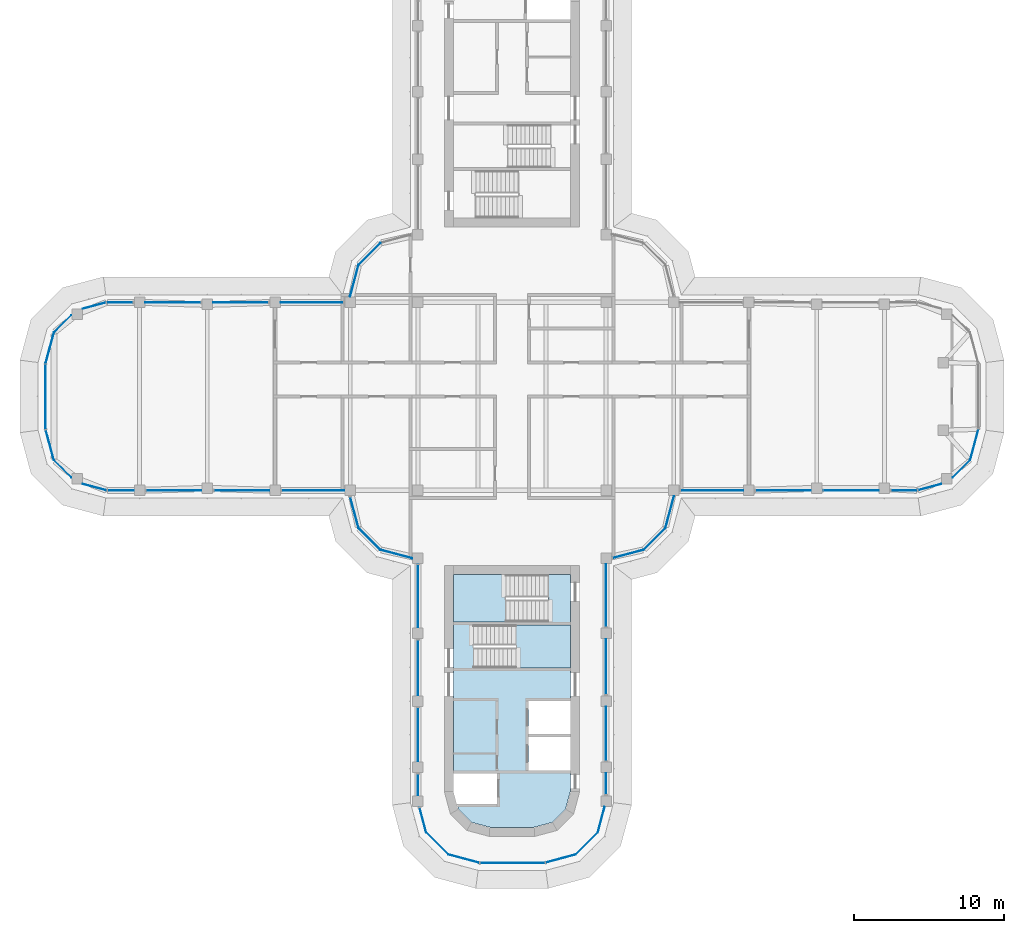
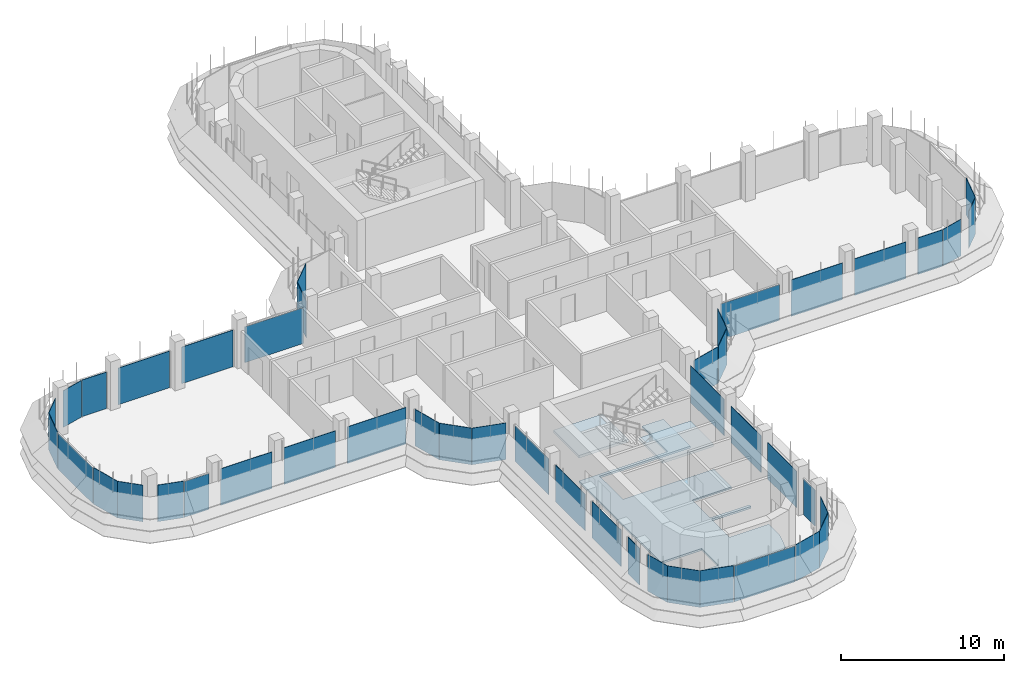
# One storey, part 11 of 18: 45 plates, 3 slabs, 32 elements without a shape of their own.
"""IFC4 building model written with IfcOpenShell, lengths in metres."""

from ifc_helpers import new_model, si_unit, direction, frame, origin, place, context, subcontext, project, spatial, polyline, outline, extrude, source, transform, mapped, material, layer, layer_set, type_object, element, aggregate, save


model = new_model("IFC4")

# Units and contexts
model_context = context("Model", 3, precision=1e-05, world=origin(), true_north=direction((0.0, 1.0)))
body_context = subcontext(model_context, "Body", "Model", "MODEL_VIEW")
ifc_project = project(units=[si_unit("LENGTHUNIT", "METRE"), si_unit("AREAUNIT", "SQUARE_METRE"), si_unit("VOLUMEUNIT", "CUBIC_METRE"), si_unit("PLANEANGLEUNIT", "RADIAN"), si_unit("MASSUNIT", "GRAM", prefix="KILO")], contexts=[model_context])

# Site, building, storey
site_placement = place(None, origin())
site = spatial("IfcSite", under=ifc_project, at=site_placement, CompositionType="ELEMENT")
building_placement = place(site_placement, origin())
building = spatial("IfcBuilding", under=site, at=building_placement, Name="Zarbagh Exchange Tower", CompositionType="ELEMENT")
storey_placement = place(building_placement, frame((0.0, 0.0, 214.39990234375)))
storey = spatial("IfcBuildingStorey", under=building, at=storey_placement, Name="L52", CompositionType="ELEMENT", Elevation=214.39990234375)

# Slab
ifc_material_1 = material(Name="Concrete C40/50", Category="concrete")
ifc_layer_1 = layer(ifc_material_1, 0.14990234375)
ifc_layer_set_1 = layer_set([ifc_layer_1], Name="Core floor slab 150 C40/50")
slab_type_1 = type_object("IfcSlabType", Name="Core floor slab 150 C40/50", PredefinedType="FLOOR", material=ifc_layer_set_1)
slab_1_placement = place(storey_placement, frame((0.0, 0.0, -0.14990234375)))
element("IfcSlab", 1, at=slab_1_placement, inside=storey, type_object=slab_type_1, Name="S17 core S", PredefinedType="FLOOR", context=body_context, shape_type="SweptSolid", body=[
    extrude(outline(polyline([(-2.689453125, -28.31005859375), (-3.56005859375, -27.439453125), (-3.651123046875, -27.10009765625), (-1.0, -27.10009765625), (-1.0, -25.050048828125), (-3.89990234375, -25.050048828125), (-3.89990234375, -15.0), (2.39990234375, -15.0), (2.39990234375, -11.85009765625), (3.89990234375, -11.85009765625), (3.89990234375, -15.199951171875), (-2.550048828125, -15.199951171875), (-2.550048828125, -18.050048828125), (3.89990234375, -18.050048828125), (3.89990234375, -20.25), (1.10009765625, -20.25), (1.10009765625, -22.449951171875), (3.89990234375, -22.449951171875), (3.89990234375, -22.64990234375), (1.10009765625, -22.64990234375), (1.10009765625, -24.85009765625), (3.89990234375, -24.85009765625), (3.89990234375, -26.1708984375), (3.56005859375, -27.439453125), (2.689453125, -28.31005859375), (1.4208984375, -28.64990234375), (-1.4208984375, -28.64990234375), (-2.689453125, -28.31005859375)])), origin(), (0.0, 0.0, 1.0), 0.14990234375),
])

# Stair, slab
stair_type = type_object("IfcStairType", Name="Exit stair two-flight half-turn", PredefinedType="HALF_TURN_STAIR", material=ifc_material_1)
stair_1_placement = place(storey_placement, origin())
stair_1 = element("IfcStair", 2, at=stair_1_placement, inside=storey, type_object=stair_type, Name="exit stair ST3", PredefinedType="HALF_TURN_STAIR")
ifc_layer_2 = layer(ifc_material_1, 0.199951171875)
ifc_layer_set_2 = layer_set([ifc_layer_2], Name="Stair landing 200 mm")
slab_type_2 = type_object("IfcSlabType", Name="Stair landing 200 mm", PredefinedType="LANDING", material=ifc_layer_set_2)
slab_2_placement = place(storey_placement, frame((0.0, 0.0, 1.7001953125)))
slab_2 = element("IfcSlab", 3, at=slab_2_placement, type_object=slab_type_2, Name="ST3 landing 1", PredefinedType="LANDING", context=body_context, shape_type="SweptSolid", body=[
    extrude(outline(polyline([(0.25, -18.050048828125), (3.89990234375, -18.050048828125), (3.89990234375, -15.199951171875), (0.25, -15.199951171875), (0.25, -18.050048828125)])), origin(), (0.0, 0.0, 1.0), 0.199951171875),
])
aggregate(stair_1, [slab_2])

stair_2_placement = place(storey_placement, origin())
stair_2 = element("IfcStair", 4, at=stair_2_placement, inside=storey, type_object=stair_type, Name="exit stair ST4", PredefinedType="HALF_TURN_STAIR")
slab_3_placement = place(storey_placement, frame((0.0, 0.0, 1.7001953125)))
slab_3 = element("IfcSlab", 5, at=slab_3_placement, type_object=slab_type_2, Name="ST4 landing 1", PredefinedType="LANDING", context=body_context, shape_type="SweptSolid", body=[
    extrude(outline(polyline([(-0.39990234375, -11.85009765625), (-3.89990234375, -11.85009765625), (-3.89990234375, -15.0), (-0.39990234375, -15.0), (-0.39990234375, -11.85009765625)])), origin(), (0.0, 0.0, 1.0), 0.199951171875),
])
aggregate(stair_2, [slab_3])

# Curtain wall, plate
ifc_material_2 = material(Name="Anodised aluminium frame and glazing", Category="aluminium")
curtain_wall_type = type_object("IfcCurtainWallType", Name="CWB Ribbon glazing, upper zones", PredefinedType="NOTDEFINED", material=ifc_material_2)
curtain_wall_1_placement = place(storey_placement, origin())
curtain_wall_1 = element("IfcCurtainWall", 6, at=curtain_wall_1_placement, inside=storey, type_object=curtain_wall_type, Name="CWB50 curtain wall", PredefinedType="NOTDEFINED")
ifc_material_3 = material(Name="Low-e double glazed unit, 6+12+6 mm")
ifc_layer_3 = layer(ifc_material_3, 0.031982421875)
ifc_layer_set_3 = layer_set([ifc_layer_3], Name="PAB Glazing panel, Low-e double glazed unit, 6+12+6 mm")
plate_type = type_object("IfcPlateType", Name="PAB Glazing panel, Low-e double glazed unit, 6+12+6 mm", PredefinedType="CURTAIN_PANEL", material=ifc_layer_set_3)
shared_shape_1 = source(origin(), body_context, "Body", "SweptSolid", [
    extrude(outline(polyline([(0.0, -0.01611328125), (2.061279296875, -0.01611328125), (2.061279296875, 0.01611328125), (0.0, 0.01611328125), (0.0, -0.01611328125)])), origin(), (0.0, 0.0, 1.0), 2.75),
])
placement = place(storey_placement, origin())
plate_1 = element("IfcPlate", 7, at=placement, type_object=plate_type, Name="CWB50 glazing panel 1.1", PredefinedType="CURTAIN_PANEL", context=body_context, shape_type="MappedRepresentation", body=[
    mapped(shared_shape_1, transform((4.2412109375, -30.44873046875, 0.0), x_axis=(0.707106781187, 0.707106781187, 0.0), y_axis=(-0.707106781187, 0.707106781187, 0.0), z_axis=(0.0, 0.0, 1.0))),
])
aggregate(curtain_wall_1, [plate_1])

curtain_wall_2_placement = place(storey_placement, origin())
curtain_wall_2 = element("IfcCurtainWall", 8, at=curtain_wall_2_placement, inside=storey, type_object=curtain_wall_type, Name="CWB06 curtain wall", PredefinedType="NOTDEFINED")
plate_2 = element("IfcPlate", 9, at=placement, type_object=plate_type, Name="CWB06 glazing panel 1.1", PredefinedType="CURTAIN_PANEL", context=body_context, shape_type="MappedRepresentation", body=[
    mapped(shared_shape_1, transform((8.7412109375, -10.19873046875, 0.0), x_axis=(0.707106781187, 0.707106781187, 0.0), y_axis=(-0.707106781187, 0.707106781187, 0.0), z_axis=(0.0, 0.0, 1.0))),
])
aggregate(curtain_wall_2, [plate_2])

curtain_wall_3_placement = place(storey_placement, origin())
curtain_wall_3 = element("IfcCurtainWall", 10, at=curtain_wall_3_placement, inside=storey, type_object=curtain_wall_type, Name="CWB30 curtain wall", PredefinedType="NOTDEFINED")
plate_3 = element("IfcPlate", 11, at=placement, type_object=plate_type, Name="CWB30 glazing panel 1.1", PredefinedType="CURTAIN_PANEL", context=body_context, shape_type="MappedRepresentation", body=[
    mapped(shared_shape_1, transform((-8.7412109375, 10.19873046875, 0.0), x_axis=(-0.707106781187, -0.707106781187, 0.0), y_axis=(0.707106781187, -0.707106781187, 0.0), z_axis=(0.0, 0.0, 1.0))),
])
aggregate(curtain_wall_3, [plate_3])

curtain_wall_4_placement = place(storey_placement, origin())
curtain_wall_4 = element("IfcCurtainWall", 12, at=curtain_wall_4_placement, inside=storey, type_object=curtain_wall_type, Name="CWB42 curtain wall", PredefinedType="NOTDEFINED")
plate_4 = element("IfcPlate", 13, at=placement, type_object=plate_type, Name="CWB42 glazing panel 1.1", PredefinedType="CURTAIN_PANEL", context=body_context, shape_type="MappedRepresentation", body=[
    mapped(shared_shape_1, transform((-10.19873046875, -8.7412109375, 0.0), x_axis=(0.707106781187, -0.707106781187, 0.0), y_axis=(0.707106781187, 0.707106781187, 0.0), z_axis=(0.0, 0.0, 1.0))),
])
aggregate(curtain_wall_4, [plate_4])

curtain_wall_5_placement = place(storey_placement, origin())
curtain_wall_5 = element("IfcCurtainWall", 14, at=curtain_wall_5_placement, inside=storey, type_object=curtain_wall_type, Name="CWB55 curtain wall", PredefinedType="NOTDEFINED")
plate_5 = element("IfcPlate", 15, at=placement, type_object=plate_type, Name="CWB55 glazing panel 1.1", PredefinedType="CURTAIN_PANEL", context=body_context, shape_type="MappedRepresentation", body=[
    mapped(shared_shape_1, transform((-5.69873046875, -28.9912109375, 0.0), x_axis=(0.707106781187, -0.707106781187, 0.0), y_axis=(0.707106781187, 0.707106781187, 0.0), z_axis=(0.0, 0.0, 1.0))),
])
aggregate(curtain_wall_5, [plate_5])

curtain_wall_6_placement = place(storey_placement, origin())
curtain_wall_6 = element("IfcCurtainWall", 16, at=curtain_wall_6_placement, inside=storey, type_object=curtain_wall_type, Name="CWB11 curtain wall", PredefinedType="NOTDEFINED")
shared_shape_2 = source(origin(), body_context, "Body", "SweptSolid", [
    extrude(outline(polyline([(0.0, -0.01611328125), (2.129638671875, -0.01611328125), (2.129638671875, 0.01611328125), (0.0, 0.01611328125), (0.0, -0.01611328125)])), origin(), (0.0, 0.0, 1.0), 2.75),
])
plate_6 = element("IfcPlate", 17, at=placement, type_object=plate_type, Name="CWB11 glazing panel 1.1", PredefinedType="CURTAIN_PANEL", context=body_context, shape_type="MappedRepresentation", body=[
    mapped(shared_shape_2, transform((30.44873046875, -4.2412109375, 0.0), x_axis=(0.258824779902, 0.965924289636, 0.0), y_axis=(-0.965924289636, 0.258824779902, 0.0), z_axis=(0.0, 0.0, 1.0))),
])
aggregate(curtain_wall_6, [plate_6])

curtain_wall_7_placement = place(storey_placement, origin())
curtain_wall_7 = element("IfcCurtainWall", 18, at=curtain_wall_7_placement, inside=storey, type_object=curtain_wall_type, Name="CWB61 curtain wall", PredefinedType="NOTDEFINED")
plate_7 = element("IfcPlate", 19, at=placement, type_object=plate_type, Name="CWB61 glazing panel 1.1", PredefinedType="CURTAIN_PANEL", context=body_context, shape_type="MappedRepresentation", body=[
    mapped(shared_shape_2, transform((-30.44873046875, 4.2412109375, 0.0), x_axis=(-0.258824779902, -0.965924289636, 0.0), y_axis=(0.965924289636, -0.258824779902, 0.0), z_axis=(0.0, 0.0, 1.0))),
])
aggregate(curtain_wall_7, [plate_7])

curtain_wall_8_placement = place(storey_placement, origin())
curtain_wall_8 = element("IfcCurtainWall", 20, at=curtain_wall_8_placement, inside=storey, type_object=curtain_wall_type, Name="CWB56 curtain wall", PredefinedType="NOTDEFINED")
plate_8 = element("IfcPlate", 21, at=placement, type_object=plate_type, Name="CWB56 glazing panel 1.1", PredefinedType="CURTAIN_PANEL", context=body_context, shape_type="MappedRepresentation", body=[
    mapped(shared_shape_2, transform((-4.2412109375, -30.44873046875, 0.0), x_axis=(0.965924289636, -0.258824779902, 0.0), y_axis=(0.258824779902, 0.965924289636, 0.0), z_axis=(0.0, 0.0, 1.0))),
])
aggregate(curtain_wall_8, [plate_8])

curtain_wall_9_placement = place(storey_placement, origin())
curtain_wall_9 = element("IfcCurtainWall", 22, at=curtain_wall_9_placement, inside=storey, type_object=curtain_wall_type, Name="CWB52 curtain wall", PredefinedType="NOTDEFINED")
shared_shape_3 = source(origin(), body_context, "Body", "SweptSolid", [
    extrude(outline(polyline([(0.0, -0.01611328125), (3.56005859375, -0.01611328125), (3.56005859375, 0.01611328125), (0.0, 0.01611328125), (0.0, -0.01611328125)])), origin(), (0.0, 0.0, 1.0), 2.75),
])
plate_9 = element("IfcPlate", 23, at=placement, type_object=plate_type, Name="CWB52 glazing panel 2.1", PredefinedType="CURTAIN_PANEL", context=body_context, shape_type="MappedRepresentation", body=[
    mapped(shared_shape_3, transform((6.25, -24.199951171875, 0.0), x_axis=(0.0, 1.0, 0.0), y_axis=(-1.0, 0.0, 0.0), z_axis=(0.0, 0.0, 1.0))),
])

curtain_wall_10_placement = place(storey_placement, origin())
curtain_wall_10 = element("IfcCurtainWall", 24, at=curtain_wall_10_placement, inside=storey, type_object=curtain_wall_type, Name="CWB53 curtain wall", PredefinedType="NOTDEFINED")
plate_10 = element("IfcPlate", 25, at=placement, type_object=plate_type, Name="CWB53 glazing panel 3.1", PredefinedType="CURTAIN_PANEL", context=body_context, shape_type="MappedRepresentation", body=[
    mapped(shared_shape_3, transform((-6.25, -20.699951171875, 0.0), x_axis=(0.0, -1.0, 0.0), y_axis=(1.0, 0.0, 0.0), z_axis=(0.0, 0.0, 1.0))),
])

curtain_wall_11_placement = place(storey_placement, origin())
curtain_wall_11 = element("IfcCurtainWall", 26, at=curtain_wall_11_placement, inside=storey, type_object=curtain_wall_type, Name="CWB66 curtain wall", PredefinedType="NOTDEFINED")
shared_shape_4 = source(origin(), body_context, "Body", "SweptSolid", [
    extrude(outline(polyline([(0.0, -0.01611328125), (4.308349609375, -0.01611328125), (4.308349609375, 0.01611328125), (0.0, 0.01611328125), (0.0, -0.01611328125)])), origin(), (0.0, 0.0, 1.0), 2.68994140625),
])
plate_11 = element("IfcPlate", 27, at=placement, type_object=plate_type, Name="CWB66 glazing panel 1.1", PredefinedType="CURTAIN_PANEL", context=body_context, shape_type="MappedRepresentation", body=[
    mapped(shared_shape_4, transform((-31.0, 2.124267578125, 0.0), x_axis=(0.0, -1.0, 0.0), y_axis=(1.0, 0.0, 0.0), z_axis=(0.0, 0.0, 1.0))),
])
aggregate(curtain_wall_11, [plate_11])

curtain_wall_12_placement = place(storey_placement, origin())
curtain_wall_12 = element("IfcCurtainWall", 28, at=curtain_wall_12_placement, inside=storey, type_object=curtain_wall_type, Name="CWB57 curtain wall", PredefinedType="NOTDEFINED")
plate_12 = element("IfcPlate", 29, at=placement, type_object=plate_type, Name="CWB57 glazing panel 1.1", PredefinedType="CURTAIN_PANEL", context=body_context, shape_type="MappedRepresentation", body=[
    mapped(shared_shape_4, transform((-2.124267578125, -31.0, 0.0), x_axis=(1.0, 0.0, 0.0), y_axis=(0.0, 1.0, 0.0), z_axis=(0.0, 0.0, 1.0))),
])
aggregate(curtain_wall_12, [plate_12])

curtain_wall_13_placement = place(storey_placement, origin())
curtain_wall_13 = element("IfcCurtainWall", 30, at=curtain_wall_13_placement, inside=storey, type_object=curtain_wall_type, Name="CWB49 curtain wall", PredefinedType="NOTDEFINED")
shared_shape_5 = source(origin(), body_context, "Body", "SweptSolid", [
    extrude(outline(polyline([(0.0, -0.01611328125), (2.069580078125, -0.01611328125), (2.069580078125, 0.01611328125), (0.0, 0.01611328125), (0.0, -0.01611328125)])), origin(), (0.0, 0.0, 1.0), 2.75),
])
plate_13 = element("IfcPlate", 31, at=placement, type_object=plate_type, Name="CWB49 glazing panel 1.1", PredefinedType="CURTAIN_PANEL", context=body_context, shape_type="MappedRepresentation", body=[
    mapped(shared_shape_5, transform((2.2421875, -30.984375, 0.0), x_axis=(0.965924289636, 0.258824779902, 0.0), y_axis=(-0.258824779902, 0.965924289636, 0.0), z_axis=(0.0, 0.0, 1.0))),
])
aggregate(curtain_wall_13, [plate_13])

curtain_wall_14_placement = place(storey_placement, origin())
curtain_wall_14 = element("IfcCurtainWall", 32, at=curtain_wall_14_placement, inside=storey, type_object=curtain_wall_type, Name="CWB62 curtain wall", PredefinedType="NOTDEFINED")
plate_14 = element("IfcPlate", 33, at=placement, type_object=plate_type, Name="CWB62 glazing panel 1.1", PredefinedType="CURTAIN_PANEL", context=body_context, shape_type="MappedRepresentation", body=[
    mapped(shared_shape_5, transform((-30.984375, -2.2421875, 0.0), x_axis=(0.258824779902, -0.965924289636, 0.0), y_axis=(0.965924289636, 0.258824779902, 0.0), z_axis=(0.0, 0.0, 1.0))),
])
aggregate(curtain_wall_14, [plate_14])

curtain_wall_15_placement = place(storey_placement, origin())
curtain_wall_15 = element("IfcCurtainWall", 34, at=curtain_wall_15_placement, inside=storey, type_object=curtain_wall_type, Name="CWB51 curtain wall", PredefinedType="NOTDEFINED")
shared_shape_6 = source(origin(), body_context, "Body", "SweptSolid", [
    extrude(outline(polyline([(0.0, -0.01611328125), (1.76123046875, -0.01611328125), (1.76123046875, 0.01611328125), (0.0, 0.01611328125), (0.0, -0.01611328125)])), origin(), (0.0, 0.0, 1.0), 2.75),
])
plate_15 = element("IfcPlate", 35, at=placement, type_object=plate_type, Name="CWB51 glazing panel 1.1", PredefinedType="CURTAIN_PANEL", context=body_context, shape_type="MappedRepresentation", body=[
    mapped(shared_shape_6, transform((5.69873046875, -28.9912109375, 0.0), x_axis=(0.258824779902, 0.965924289636, 0.0), y_axis=(-0.965924289636, 0.258824779902, 0.0), z_axis=(0.0, 0.0, 1.0))),
])
aggregate(curtain_wall_15, [plate_15])

# Plate
shared_shape_7 = source(origin(), body_context, "Body", "SweptSolid", [
    extrude(outline(polyline([(0.0, -0.01611328125), (1.409912109375, -0.01611328125), (1.409912109375, 0.01611328125), (0.0, 0.01611328125), (0.0, -0.01611328125)])), origin(), (0.0, 0.0, 1.0), 2.68994140625),
])
plate_16 = element("IfcPlate", 36, at=placement, type_object=plate_type, Name="CWB52 glazing panel 1.1", PredefinedType="CURTAIN_PANEL", context=body_context, shape_type="MappedRepresentation", body=[
    mapped(shared_shape_7, transform((6.25, -26.449951171875, 0.0), x_axis=(0.0, 1.0, 0.0), y_axis=(-1.0, 0.0, 0.0), z_axis=(0.0, 0.0, 1.0))),
])

shared_shape_8 = source(origin(), body_context, "Body", "SweptSolid", [
    extrude(outline(polyline([(0.0, -0.01611328125), (3.659912109375, -0.01611328125), (3.659912109375, 0.01611328125), (0.0, 0.01611328125), (0.0, -0.01611328125)])), origin(), (0.0, 0.0, 1.0), 2.75),
])
plate_17 = element("IfcPlate", 37, at=placement, type_object=plate_type, Name="CWB52 glazing panel 3.1", PredefinedType="CURTAIN_PANEL", context=body_context, shape_type="MappedRepresentation", body=[
    mapped(shared_shape_8, transform((6.25, -19.800048828125, 0.0), x_axis=(0.0, 1.0, 0.0), y_axis=(-1.0, 0.0, 0.0), z_axis=(0.0, 0.0, 1.0))),
])

# Curtain wall, plates
curtain_wall_16_placement = place(storey_placement, origin())
curtain_wall_16 = element("IfcCurtainWall", 38, at=curtain_wall_16_placement, inside=storey, type_object=curtain_wall_type, Name="CWB08 curtain wall", PredefinedType="NOTDEFINED")
plate_18 = element("IfcPlate", 39, at=placement, type_object=plate_type, Name="CWB08 glazing panel 2.1", PredefinedType="CURTAIN_PANEL", context=body_context, shape_type="MappedRepresentation", body=[
    mapped(shared_shape_8, transform((16.199951171875, -6.25, 0.0), x_axis=(1.0, 0.0, 0.0), y_axis=(0.0, 1.0, 0.0), z_axis=(0.0, 0.0, 1.0))),
])
plate_19 = element("IfcPlate", 40, at=placement, type_object=plate_type, Name="CWB08 glazing panel 3.1", PredefinedType="CURTAIN_PANEL", context=body_context, shape_type="MappedRepresentation", body=[
    mapped(shared_shape_8, transform((20.699951171875, -6.25, 0.0), x_axis=(1.0, 0.0, 0.0), y_axis=(0.0, 1.0, 0.0), z_axis=(0.0, 0.0, 1.0))),
])

curtain_wall_17_placement = place(storey_placement, origin())
curtain_wall_17 = element("IfcCurtainWall", 41, at=curtain_wall_17_placement, inside=storey, type_object=curtain_wall_type, Name="CWB58 curtain wall", PredefinedType="NOTDEFINED")
plate_20 = element("IfcPlate", 42, at=placement, type_object=plate_type, Name="CWB58 glazing panel 2.1", PredefinedType="CURTAIN_PANEL", context=body_context, shape_type="MappedRepresentation", body=[
    mapped(shared_shape_8, transform((-16.199951171875, 6.25, 0.0), x_axis=(-1.0, 0.0, 0.0), y_axis=(0.0, -1.0, 0.0), z_axis=(0.0, 0.0, 1.0))),
])
plate_21 = element("IfcPlate", 43, at=placement, type_object=plate_type, Name="CWB58 glazing panel 3.1", PredefinedType="CURTAIN_PANEL", context=body_context, shape_type="MappedRepresentation", body=[
    mapped(shared_shape_8, transform((-20.699951171875, 6.25, 0.0), x_axis=(-1.0, 0.0, 0.0), y_axis=(0.0, -1.0, 0.0), z_axis=(0.0, 0.0, 1.0))),
])

curtain_wall_18_placement = place(storey_placement, origin())
curtain_wall_18 = element("IfcCurtainWall", 44, at=curtain_wall_18_placement, inside=storey, type_object=curtain_wall_type, Name="CWB65 curtain wall", PredefinedType="NOTDEFINED")
plate_22 = element("IfcPlate", 45, at=placement, type_object=plate_type, Name="CWB65 glazing panel 2.1", PredefinedType="CURTAIN_PANEL", context=body_context, shape_type="MappedRepresentation", body=[
    mapped(shared_shape_8, transform((-24.300048828125, -6.25, 0.0), x_axis=(1.0, 0.0, 0.0), y_axis=(0.0, 1.0, 0.0), z_axis=(0.0, 0.0, 1.0))),
])
plate_23 = element("IfcPlate", 46, at=placement, type_object=plate_type, Name="CWB65 glazing panel 3.1", PredefinedType="CURTAIN_PANEL", context=body_context, shape_type="MappedRepresentation", body=[
    mapped(shared_shape_8, transform((-19.800048828125, -6.25, 0.0), x_axis=(1.0, 0.0, 0.0), y_axis=(0.0, 1.0, 0.0), z_axis=(0.0, 0.0, 1.0))),
])

# Plate
plate_24 = element("IfcPlate", 47, at=placement, type_object=plate_type, Name="CWB53 glazing panel 2.1", PredefinedType="CURTAIN_PANEL", context=body_context, shape_type="MappedRepresentation", body=[
    mapped(shared_shape_8, transform((-6.25, -16.199951171875, 0.0), x_axis=(0.0, -1.0, 0.0), y_axis=(1.0, 0.0, 0.0), z_axis=(0.0, 0.0, 1.0))),
])

shared_shape_9 = source(origin(), body_context, "Body", "SweptSolid", [
    extrude(outline(polyline([(0.0, -0.01611328125), (4.159912109375, -0.01611328125), (4.159912109375, 0.01611328125), (0.0, 0.01611328125), (0.0, -0.01611328125)])), origin(), (0.0, 0.0, 1.0), 2.75),
])
plate_25 = element("IfcPlate", 48, at=placement, type_object=plate_type, Name="CWB52 glazing panel 4.1", PredefinedType="CURTAIN_PANEL", context=body_context, shape_type="MappedRepresentation", body=[
    mapped(shared_shape_9, transform((6.25, -15.300048828125, 0.0), x_axis=(0.0, 1.0, 0.0), y_axis=(-1.0, 0.0, 0.0), z_axis=(0.0, 0.0, 1.0))),
])

aggregate(curtain_wall_9, [plate_16, plate_9, plate_17, plate_25])

plate_26 = element("IfcPlate", 49, at=placement, type_object=plate_type, Name="CWB65 glazing panel 4.1", PredefinedType="CURTAIN_PANEL", context=body_context, shape_type="MappedRepresentation", body=[
    mapped(shared_shape_9, transform((-15.300048828125, -6.25, 0.0), x_axis=(1.0, 0.0, 0.0), y_axis=(0.0, 1.0, 0.0), z_axis=(0.0, 0.0, 1.0))),
])

# Curtain wall, plate
curtain_wall_19_placement = place(storey_placement, origin())
curtain_wall_19 = element("IfcCurtainWall", 50, at=curtain_wall_19_placement, inside=storey, type_object=curtain_wall_type, Name="CWB05 curtain wall", PredefinedType="NOTDEFINED")
shared_shape_10 = source(origin(), body_context, "Body", "SweptSolid", [
    extrude(outline(polyline([(0.0, -0.01611328125), (2.115234375, -0.01611328125), (2.115234375, 0.01611328125), (0.0, 0.01611328125), (0.0, -0.01611328125)])), origin(), (0.0, 0.0, 1.0), 2.75),
])
plate_27 = element("IfcPlate", 51, at=placement, type_object=plate_type, Name="CWB05 glazing panel 1.1", PredefinedType="CURTAIN_PANEL", context=body_context, shape_type="MappedRepresentation", body=[
    mapped(shared_shape_10, transform((6.697998046875, -10.746337890625, 0.0), x_axis=(0.965924289636, 0.258824779902, 0.0), y_axis=(-0.258824779902, 0.965924289636, 0.0), z_axis=(0.0, 0.0, 1.0))),
])
aggregate(curtain_wall_19, [plate_27])

curtain_wall_20_placement = place(storey_placement, origin())
curtain_wall_20 = element("IfcCurtainWall", 52, at=curtain_wall_20_placement, inside=storey, type_object=curtain_wall_type, Name="CWB41 curtain wall", PredefinedType="NOTDEFINED")
plate_28 = element("IfcPlate", 53, at=placement, type_object=plate_type, Name="CWB41 glazing panel 1.1", PredefinedType="CURTAIN_PANEL", context=body_context, shape_type="MappedRepresentation", body=[
    mapped(shared_shape_10, transform((-10.746337890625, -6.697998046875, 0.0), x_axis=(0.258824779902, -0.965924289636, 0.0), y_axis=(0.965924289636, 0.258824779902, 0.0), z_axis=(0.0, 0.0, 1.0))),
])
aggregate(curtain_wall_20, [plate_28])

curtain_wall_21_placement = place(storey_placement, origin())
curtain_wall_21 = element("IfcCurtainWall", 54, at=curtain_wall_21_placement, inside=storey, type_object=curtain_wall_type, Name="CWB07 curtain wall", PredefinedType="NOTDEFINED")
shared_shape_11 = source(origin(), body_context, "Body", "SweptSolid", [
    extrude(outline(polyline([(0.0, -0.01611328125), (2.17529296875, -0.01611328125), (2.17529296875, 0.01611328125), (0.0, 0.01611328125), (0.0, -0.01611328125)])), origin(), (0.0, 0.0, 1.0), 2.75),
])
plate_29 = element("IfcPlate", 55, at=placement, type_object=plate_type, Name="CWB07 glazing panel 1.1", PredefinedType="CURTAIN_PANEL", context=body_context, shape_type="MappedRepresentation", body=[
    mapped(shared_shape_11, transform((10.19873046875, -8.7412109375, 0.0), x_axis=(0.258824779902, 0.965924289636, 0.0), y_axis=(-0.965924289636, 0.258824779902, 0.0), z_axis=(0.0, 0.0, 1.0))),
])
aggregate(curtain_wall_21, [plate_29])

curtain_wall_22_placement = place(storey_placement, origin())
curtain_wall_22 = element("IfcCurtainWall", 56, at=curtain_wall_22_placement, inside=storey, type_object=curtain_wall_type, Name="CWB31 curtain wall", PredefinedType="NOTDEFINED")
plate_30 = element("IfcPlate", 57, at=placement, type_object=plate_type, Name="CWB31 glazing panel 1.1", PredefinedType="CURTAIN_PANEL", context=body_context, shape_type="MappedRepresentation", body=[
    mapped(shared_shape_11, transform((-10.19873046875, 8.7412109375, 0.0), x_axis=(-0.258824779902, -0.965924289636, 0.0), y_axis=(0.965924289636, -0.258824779902, 0.0), z_axis=(0.0, 0.0, 1.0))),
])
aggregate(curtain_wall_22, [plate_30])

curtain_wall_23_placement = place(storey_placement, origin())
curtain_wall_23 = element("IfcCurtainWall", 58, at=curtain_wall_23_placement, inside=storey, type_object=curtain_wall_type, Name="CWB43 curtain wall", PredefinedType="NOTDEFINED")
plate_31 = element("IfcPlate", 59, at=placement, type_object=plate_type, Name="CWB43 glazing panel 1.1", PredefinedType="CURTAIN_PANEL", context=body_context, shape_type="MappedRepresentation", body=[
    mapped(shared_shape_11, transform((-8.7412109375, -10.19873046875, 0.0), x_axis=(0.965924289636, -0.258824779902, 0.0), y_axis=(0.258824779902, 0.965924289636, 0.0), z_axis=(0.0, 0.0, 1.0))),
])
aggregate(curtain_wall_23, [plate_31])

# Plate
shared_shape_12 = source(origin(), body_context, "Body", "SweptSolid", [
    extrude(outline(polyline([(0.0, -0.01611328125), (4.159912109375, -0.01611328125), (4.159912109375, 0.01611328125), (0.0, 0.01611328125), (0.0, -0.01611328125)])), origin(), (0.0, 0.0, 1.0), 2.68994140625),
])
plate_32 = element("IfcPlate", 60, at=placement, type_object=plate_type, Name="CWB08 glazing panel 1.1", PredefinedType="CURTAIN_PANEL", context=body_context, shape_type="MappedRepresentation", body=[
    mapped(shared_shape_12, transform((11.199951171875, -6.25, 0.0), x_axis=(1.0, 0.0, 0.0), y_axis=(0.0, 1.0, 0.0), z_axis=(0.0, 0.0, 1.0))),
])

plate_33 = element("IfcPlate", 61, at=placement, type_object=plate_type, Name="CWB58 glazing panel 1.1", PredefinedType="CURTAIN_PANEL", context=body_context, shape_type="MappedRepresentation", body=[
    mapped(shared_shape_12, transform((-11.199951171875, 6.25, 0.0), x_axis=(-1.0, 0.0, 0.0), y_axis=(0.0, -1.0, 0.0), z_axis=(0.0, 0.0, 1.0))),
])

plate_34 = element("IfcPlate", 62, at=placement, type_object=plate_type, Name="CWB53 glazing panel 1.1", PredefinedType="CURTAIN_PANEL", context=body_context, shape_type="MappedRepresentation", body=[
    mapped(shared_shape_12, transform((-6.25, -11.199951171875, 0.0), x_axis=(0.0, -1.0, 0.0), y_axis=(1.0, 0.0, 0.0), z_axis=(0.0, 0.0, 1.0))),
])

shared_shape_13 = source(origin(), body_context, "Body", "SweptSolid", [
    extrude(outline(polyline([(0.0, -0.01611328125), (1.734130859375, -0.01611328125), (1.734130859375, 0.01611328125), (0.0, 0.01611328125), (0.0, -0.01611328125)])), origin(), (0.0, 0.0, 1.0), 2.75),
])
plate_35 = element("IfcPlate", 63, at=placement, type_object=plate_type, Name="CWB08 glazing panel 4.1", PredefinedType="CURTAIN_PANEL", context=body_context, shape_type="MappedRepresentation", body=[
    mapped(shared_shape_13, transform((25.199951171875, -6.25, 0.0), x_axis=(1.0, 0.0, 0.0), y_axis=(0.0, 1.0, 0.0), z_axis=(0.0, 0.0, 1.0))),
])

aggregate(curtain_wall_16, [plate_32, plate_18, plate_19, plate_35])

plate_36 = element("IfcPlate", 64, at=placement, type_object=plate_type, Name="CWB58 glazing panel 4.1", PredefinedType="CURTAIN_PANEL", context=body_context, shape_type="MappedRepresentation", body=[
    mapped(shared_shape_13, transform((-25.199951171875, 6.25, 0.0), x_axis=(-1.0, 0.0, 0.0), y_axis=(0.0, -1.0, 0.0), z_axis=(0.0, 0.0, 1.0))),
])

aggregate(curtain_wall_17, [plate_33, plate_20, plate_21, plate_36])

# Curtain wall, plate
curtain_wall_24_placement = place(storey_placement, origin())
curtain_wall_24 = element("IfcCurtainWall", 65, at=curtain_wall_24_placement, inside=storey, type_object=curtain_wall_type, Name="CWB09 curtain wall", PredefinedType="NOTDEFINED")
shared_shape_14 = source(origin(), body_context, "Body", "SweptSolid", [
    extrude(outline(polyline([(0.0, -0.01611328125), (1.57958984375, -0.01611328125), (1.57958984375, 0.01611328125), (0.0, 0.01611328125), (0.0, -0.01611328125)])), origin(), (0.0, 0.0, 1.0), 2.75),
])
plate_37 = element("IfcPlate", 66, at=placement, type_object=plate_type, Name="CWB09 glazing panel 1.1", PredefinedType="CURTAIN_PANEL", context=body_context, shape_type="MappedRepresentation", body=[
    mapped(shared_shape_14, transform((26.9921875, -6.234375, 0.0), x_axis=(0.965924289636, 0.258824779902, 0.0), y_axis=(-0.258824779902, 0.965924289636, 0.0), z_axis=(0.0, 0.0, 1.0))),
])
aggregate(curtain_wall_24, [plate_37])

curtain_wall_25_placement = place(storey_placement, origin())
curtain_wall_25 = element("IfcCurtainWall", 67, at=curtain_wall_25_placement, inside=storey, type_object=curtain_wall_type, Name="CWB59 curtain wall", PredefinedType="NOTDEFINED")
plate_38 = element("IfcPlate", 68, at=placement, type_object=plate_type, Name="CWB59 glazing panel 1.1", PredefinedType="CURTAIN_PANEL", context=body_context, shape_type="MappedRepresentation", body=[
    mapped(shared_shape_14, transform((-26.9921875, 6.234375, 0.0), x_axis=(-0.965924289636, -0.258824779902, 0.0), y_axis=(0.258824779902, -0.965924289636, 0.0), z_axis=(0.0, 0.0, 1.0))),
])
aggregate(curtain_wall_25, [plate_38])

curtain_wall_26_placement = place(storey_placement, origin())
curtain_wall_26 = element("IfcCurtainWall", 69, at=curtain_wall_26_placement, inside=storey, type_object=curtain_wall_type, Name="CWB10 curtain wall", PredefinedType="NOTDEFINED")
shared_shape_15 = source(origin(), body_context, "Body", "SweptSolid", [
    extrude(outline(polyline([(0.0, -0.01611328125), (1.62744140625, -0.01611328125), (1.62744140625, 0.01611328125), (0.0, 0.01611328125), (0.0, -0.01611328125)])), origin(), (0.0, 0.0, 1.0), 2.75),
])
plate_39 = element("IfcPlate", 70, at=placement, type_object=plate_type, Name="CWB10 glazing panel 1.1", PredefinedType="CURTAIN_PANEL", context=body_context, shape_type="MappedRepresentation", body=[
    mapped(shared_shape_15, transform((29.298095703125, -5.39208984375, 0.0), x_axis=(0.707106781187, 0.707106781187, 0.0), y_axis=(-0.707106781187, 0.707106781187, 0.0), z_axis=(0.0, 0.0, 1.0))),
])
aggregate(curtain_wall_26, [plate_39])

curtain_wall_27_placement = place(storey_placement, origin())
curtain_wall_27 = element("IfcCurtainWall", 71, at=curtain_wall_27_placement, inside=storey, type_object=curtain_wall_type, Name="CWB60 curtain wall", PredefinedType="NOTDEFINED")
plate_40 = element("IfcPlate", 72, at=placement, type_object=plate_type, Name="CWB60 glazing panel 1.1", PredefinedType="CURTAIN_PANEL", context=body_context, shape_type="MappedRepresentation", body=[
    mapped(shared_shape_15, transform((-29.298095703125, 5.39208984375, 0.0), x_axis=(-0.707106781187, -0.707106781187, 0.0), y_axis=(0.707106781187, -0.707106781187, 0.0), z_axis=(0.0, 0.0, 1.0))),
])
aggregate(curtain_wall_27, [plate_40])

curtain_wall_28_placement = place(storey_placement, origin())
curtain_wall_28 = element("IfcCurtainWall", 73, at=curtain_wall_28_placement, inside=storey, type_object=curtain_wall_type, Name="CWB63 curtain wall", PredefinedType="NOTDEFINED")
plate_41 = element("IfcPlate", 74, at=placement, type_object=plate_type, Name="CWB63 glazing panel 1.1", PredefinedType="CURTAIN_PANEL", context=body_context, shape_type="MappedRepresentation", body=[
    mapped(shared_shape_15, transform((-30.44873046875, -4.2412109375, 0.0), x_axis=(0.707106781187, -0.707106781187, 0.0), y_axis=(0.707106781187, 0.707106781187, 0.0), z_axis=(0.0, 0.0, 1.0))),
])
aggregate(curtain_wall_28, [plate_41])

curtain_wall_29_placement = place(storey_placement, origin())
curtain_wall_29 = element("IfcCurtainWall", 75, at=curtain_wall_29_placement, inside=storey, type_object=curtain_wall_type, Name="CWB64 curtain wall", PredefinedType="NOTDEFINED")
shared_shape_16 = source(origin(), body_context, "Body", "SweptSolid", [
    extrude(outline(polyline([(0.0, -0.01611328125), (1.6396484375, -0.01611328125), (1.6396484375, 0.01611328125), (0.0, 0.01611328125), (0.0, -0.01611328125)])), origin(), (0.0, 0.0, 1.0), 2.75),
])
plate_42 = element("IfcPlate", 76, at=placement, type_object=plate_type, Name="CWB64 glazing panel 1.1", PredefinedType="CURTAIN_PANEL", context=body_context, shape_type="MappedRepresentation", body=[
    mapped(shared_shape_16, transform((-28.51806640625, -5.82568359375, 0.0), x_axis=(0.965924289636, -0.258824779902, 0.0), y_axis=(0.258824779902, 0.965924289636, 0.0), z_axis=(0.0, 0.0, 1.0))),
])
aggregate(curtain_wall_29, [plate_42])

# Plate
shared_shape_17 = source(origin(), body_context, "Body", "SweptSolid", [
    extrude(outline(polyline([(0.0, -0.01611328125), (1.734130859375, -0.01611328125), (1.734130859375, 0.01611328125), (0.0, 0.01611328125), (0.0, -0.01611328125)])), origin(), (0.0, 0.0, 1.0), 2.68994140625),
])
plate_43 = element("IfcPlate", 77, at=placement, type_object=plate_type, Name="CWB65 glazing panel 1.1", PredefinedType="CURTAIN_PANEL", context=body_context, shape_type="MappedRepresentation", body=[
    mapped(shared_shape_17, transform((-26.874267578125, -6.25, 0.0), x_axis=(1.0, 0.0, 0.0), y_axis=(0.0, 1.0, 0.0), z_axis=(0.0, 0.0, 1.0))),
])

aggregate(curtain_wall_18, [plate_43, plate_22, plate_23, plate_26])

shared_shape_18 = source(origin(), body_context, "Body", "SweptSolid", [
    extrude(outline(polyline([(0.0, -0.01611328125), (1.409912109375, -0.01611328125), (1.409912109375, 0.01611328125), (0.0, 0.01611328125), (0.0, -0.01611328125)])), origin(), (0.0, 0.0, 1.0), 2.75),
])
plate_44 = element("IfcPlate", 78, at=placement, type_object=plate_type, Name="CWB53 glazing panel 4.1", PredefinedType="CURTAIN_PANEL", context=body_context, shape_type="MappedRepresentation", body=[
    mapped(shared_shape_18, transform((-6.25, -25.10009765625, 0.0), x_axis=(0.0, -1.0, 0.0), y_axis=(1.0, 0.0, 0.0), z_axis=(0.0, 0.0, 1.0))),
])

aggregate(curtain_wall_10, [plate_34, plate_24, plate_10, plate_44])

# Curtain wall, plate
curtain_wall_30_placement = place(storey_placement, origin())
curtain_wall_30 = element("IfcCurtainWall", 79, at=curtain_wall_30_placement, inside=storey, type_object=curtain_wall_type, Name="CWB54 curtain wall", PredefinedType="NOTDEFINED")
shared_shape_19 = source(origin(), body_context, "Body", "SweptSolid", [
    extrude(outline(polyline([(0.0, -0.01611328125), (1.701171875, -0.01611328125), (1.701171875, 0.01611328125), (0.0, 0.01611328125), (0.0, -0.01611328125)])), origin(), (0.0, 0.0, 1.0), 2.75),
])
plate_45 = element("IfcPlate", 80, at=placement, type_object=plate_type, Name="CWB54 glazing panel 1.1", PredefinedType="CURTAIN_PANEL", context=body_context, shape_type="MappedRepresentation", body=[
    mapped(shared_shape_19, transform((-6.13916015625, -27.347900390625, 0.0), x_axis=(0.258824779902, -0.965924289636, 0.0), y_axis=(0.965924289636, 0.258824779902, 0.0), z_axis=(0.0, 0.0, 1.0))),
])
aggregate(curtain_wall_30, [plate_45])

save(model, "model.ifc")
